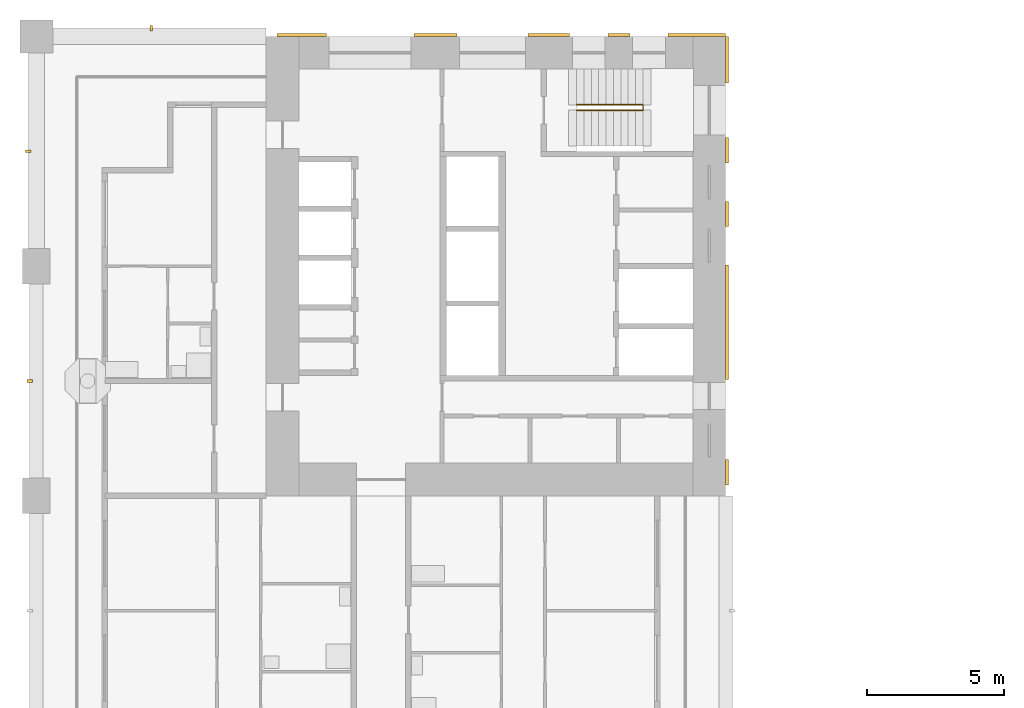
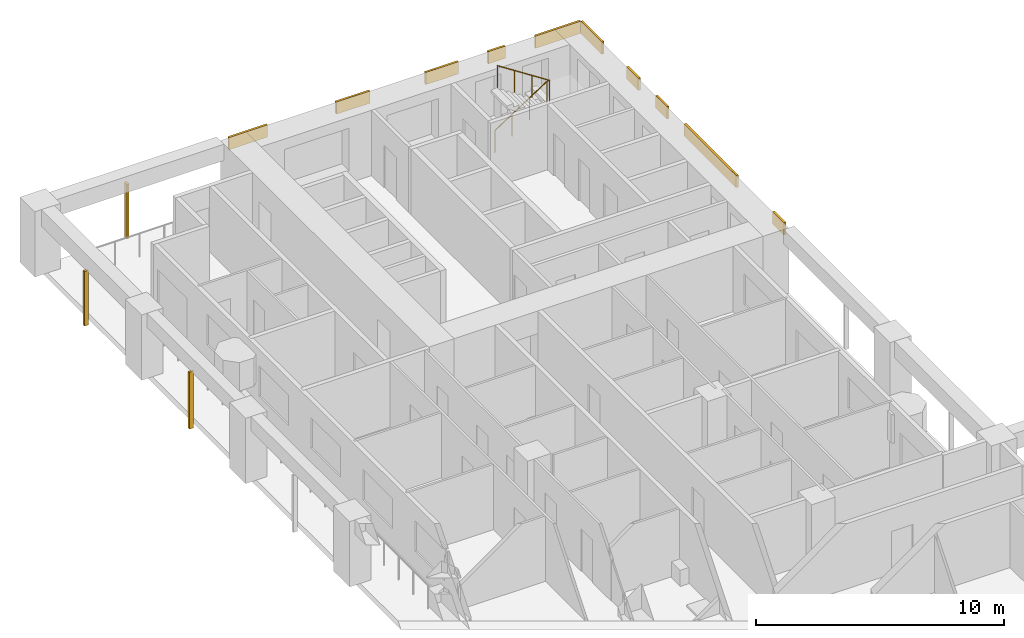
# One storey, part 15 of 19: 13 shading devices, 1 railing.
"""IFC4 building model written with IfcOpenShell, lengths in metres."""

from ifc_helpers import new_model, si_unit, direction, frame, origin, origin_2d, place, context, subcontext, project, spatial, rectangle, circle, extrude, material, layer, layer_set, material_profile, profile_set, type_object, element, save


model = new_model("IFC4")

# Units and contexts
model_context = context("Model", 3, precision=1e-05, world=origin(), true_north=direction((0.0, 1.0)))
body_context = subcontext(model_context, "Body", "Model", "MODEL_VIEW")
ifc_project = project(units=[si_unit("LENGTHUNIT", "METRE"), si_unit("AREAUNIT", "SQUARE_METRE"), si_unit("VOLUMEUNIT", "CUBIC_METRE"), si_unit("PLANEANGLEUNIT", "RADIAN"), si_unit("MASSUNIT", "GRAM", prefix="KILO")], contexts=[model_context])

# Site, building, storey
site_placement = place(None, origin())
site = spatial("IfcSite", under=ifc_project, at=site_placement, CompositionType="ELEMENT")
building_placement = place(site_placement, origin())
building = spatial("IfcBuilding", under=site, at=building_placement, Name="Vermilion Gate Residences", CompositionType="ELEMENT")
storey_placement = place(building_placement, frame((0.0, 0.0, 123.199951171875)))
storey = spatial("IfcBuildingStorey", under=building, at=storey_placement, Name="L31", CompositionType="ELEMENT", Elevation=123.199951171875)

# Railing
ifc_material_1 = material(Name="Steel S355", Category="steel")
railing_type = type_object("IfcRailingType", Name="STAIR GUARD 1100 STEEL", PredefinedType="GUARDRAIL", material=ifc_material_1)
railing_placement = place(storey_placement, frame((19.75, 56.300048828125, 0.175048828125)))
element("IfcRailing", 1, at=railing_placement, inside=storey, type_object=railing_type, Name="Stair well guard STB1-31", PredefinedType="GUARDRAIL", context=body_context, shape_type="SweptSolid", body=[
    extrude(circle(Radius=0.02392578125, at=origin_2d()), frame((0.0, 0.0, 1.076171875), z_axis=(0.839153699163, 0.0, 0.543894354798), x_axis=(0.0, 1.0, 0.0)), (0.0, 0.0, 1.0), 2.895751953125),
    extrude(circle(Radius=0.02392578125, at=origin_2d()), frame((2.429931640625, 0.0, 2.65087890625), z_axis=(0.0, -0.752405939678, 0.658699705433), x_axis=(1.0, 0.0, 0.0)), (0.0, 0.0, 1.0), 0.265869140625),
    extrude(circle(Radius=0.02392578125, at=origin_2d()), frame((2.429931640625, -0.199951171875, 2.826171875), z_axis=(-0.839153699163, 0.0, 0.543894354798), x_axis=(0.0, -1.0, 0.0)), (0.0, 0.0, 1.0), 2.895751953125),
    extrude(circle(Radius=0.02099609375, at=origin_2d()), origin(), (0.0, 0.0, 1.0), 1.052001953125),
    extrude(circle(Radius=0.02099609375, at=origin_2d()), frame((0.81005859375, 0.0, 0.52490234375)), (0.0, 0.0, 1.0), 1.052001953125),
    extrude(circle(Radius=0.02099609375, at=origin_2d()), frame((1.619873046875, 0.0, 1.050048828125)), (0.0, 0.0, 1.0), 1.052001953125),
    extrude(circle(Radius=0.02099609375, at=origin_2d()), frame((2.429931640625, 0.0, 1.574951171875)), (0.0, 0.0, 1.0), 1.052001953125),
    extrude(circle(Radius=0.02099609375, at=origin_2d()), frame((2.429931640625, -0.199951171875, 1.75)), (0.0, 0.0, 1.0), 1.052001953125),
    extrude(circle(Radius=0.02099609375, at=origin_2d()), frame((1.619873046875, -0.199951171875, 2.27490234375)), (0.0, 0.0, 1.0), 1.052001953125),
    extrude(circle(Radius=0.02099609375, at=origin_2d()), frame((0.81005859375, -0.199951171875, 2.800048828125)), (0.0, 0.0, 1.0), 1.052001953125),
    extrude(circle(Radius=0.02099609375, at=origin_2d()), frame((0.0, -0.199951171875, 3.324951171875)), (0.0, 0.0, 1.0), 1.052001953125),
])

# Shading devices
ifc_material_2 = material(Name="Extruded terracotta", Category="masonry")
ifc_material_profile = material_profile(ifc_material_2, rectangle(XDim=0.199951171875, YDim=0.10009765625, at=origin_2d()), Name="BAGUETTE 100 X 200")
ifc_profile_set = profile_set([ifc_material_profile], Name="Extruded terracotta")
shading_device_type_1 = type_object("IfcShadingDeviceType", Name="TERRACOTTA BAGUETTE 100 X 200", PredefinedType="JALOUSIE", material=ifc_profile_set)
shading_device_1_placement = place(storey_placement, frame((4.199951171875, 59.10009765625, -0.280029296875), z_axis=(0.0, 0.0, 1.0), x_axis=(0.0, -1.0, 0.0)))
element("IfcShadingDevice", 2, at=shading_device_1_placement, inside=storey, type_object=shading_device_type_1, Name="BAGUETTE", PredefinedType="JALOUSIE", context=body_context, shape_type="SweptSolid", body=[
    extrude(rectangle(XDim=0.199951171875, YDim=0.10009765625, at=origin_2d()), origin(), (0.0, 0.0, 1.0), 2.7001953125),
])
shading_device_2_placement = place(storey_placement, frame((-0.25, 46.199951171875, -0.280029296875), z_axis=(0.0, 0.0, 1.0), x_axis=(1.0, 0.0, 0.0)))
element("IfcShadingDevice", 3, at=shading_device_2_placement, inside=storey, type_object=shading_device_type_1, Name="BAGUETTE", PredefinedType="JALOUSIE", context=body_context, shape_type="SweptSolid", body=[
    extrude(rectangle(XDim=0.199951171875, YDim=0.10009765625, at=origin_2d()), origin(), (0.0, 0.0, 1.0), 2.800048828125),
])
shading_device_3_placement = place(storey_placement, frame((-0.300048828125, 54.60009765625, -0.280029296875), z_axis=(0.0, 0.0, 1.0), x_axis=(1.0, 0.0, 0.0)))
element("IfcShadingDevice", 4, at=shading_device_3_placement, inside=storey, type_object=shading_device_type_1, Name="BAGUETTE", PredefinedType="JALOUSIE", context=body_context, shape_type="SweptSolid", body=[
    extrude(rectangle(XDim=0.199951171875, YDim=0.10009765625, at=origin_2d()), origin(), (0.0, 0.0, 1.0), 2.7001953125),
])
ifc_material_3 = material(Name="Extruded terracotta", Category="masonry")
ifc_layer = layer(ifc_material_3, 0.10009765625)
ifc_layer_set = layer_set([ifc_layer], Name="TERRACOTTA SPANDREL BAND 600 X 100")
shading_device_type_2 = type_object("IfcShadingDeviceType", Name="TERRACOTTA SPANDREL BAND 600 X 100", PredefinedType="USERDEFINED", material=ifc_layer_set)
shading_device_4_placement = place(storey_placement, frame((9.702392578125, 58.85009765625, 2.6201171875), z_axis=(0.0, 0.0, 1.0), x_axis=(1.0, 0.0, 0.0)))
element("IfcShadingDevice", 5, at=shading_device_4_placement, inside=storey, type_object=shading_device_type_2, Name="SPANDREL BAND", ObjectType="BAND", PredefinedType="USERDEFINED", context=body_context, shape_type="SweptSolid", body=[
    extrude(rectangle(XDim=1.804931640625, YDim=0.10009765625, at=origin_2d()), origin(), (0.0, 0.0, 1.0), 0.60009765625),
])
shading_device_5_placement = place(storey_placement, frame((14.590087890625, 58.85009765625, 2.6201171875), z_axis=(0.0, 0.0, 1.0), x_axis=(1.0, 0.0, 0.0)))
element("IfcShadingDevice", 6, at=shading_device_5_placement, inside=storey, type_object=shading_device_type_2, Name="SPANDREL BAND", ObjectType="BAND", PredefinedType="USERDEFINED", context=body_context, shape_type="SweptSolid", body=[
    extrude(rectangle(XDim=1.570068359375, YDim=0.10009765625, at=origin_2d()), origin(), (0.0, 0.0, 1.0), 0.60009765625),
])
shading_device_6_placement = place(storey_placement, frame((18.734130859375, 58.85009765625, 2.6201171875), z_axis=(0.0, 0.0, 1.0), x_axis=(1.0, 0.0, 0.0)))
element("IfcShadingDevice", 7, at=shading_device_6_placement, inside=storey, type_object=shading_device_type_2, Name="SPANDREL BAND", ObjectType="BAND", PredefinedType="USERDEFINED", context=body_context, shape_type="SweptSolid", body=[
    extrude(rectangle(XDim=1.518310546875, YDim=0.10009765625, at=origin_2d()), origin(), (0.0, 0.0, 1.0), 0.60009765625),
])
shading_device_7_placement = place(storey_placement, frame((21.294921875, 58.85009765625, 2.6201171875), z_axis=(0.0, 0.0, 1.0), x_axis=(1.0, 0.0, 0.0)))
element("IfcShadingDevice", 8, at=shading_device_7_placement, inside=storey, type_object=shading_device_type_2, Name="SPANDREL BAND", ObjectType="BAND", PredefinedType="USERDEFINED", context=body_context, shape_type="SweptSolid", body=[
    extrude(rectangle(XDim=0.803466796875, YDim=0.10009765625, at=origin_2d()), origin(), (0.0, 0.0, 1.0), 0.60009765625),
])
shading_device_8_placement = place(storey_placement, frame((24.1484375, 58.85009765625, 2.6201171875), z_axis=(0.0, 0.0, 1.0), x_axis=(1.0, 0.0, 0.0)))
element("IfcShadingDevice", 9, at=shading_device_8_placement, inside=storey, type_object=shading_device_type_2, Name="SPANDREL BAND", ObjectType="BAND", PredefinedType="USERDEFINED", context=body_context, shape_type="SweptSolid", body=[
    extrude(rectangle(XDim=2.103271484375, YDim=0.10009765625, at=origin_2d()), origin(), (0.0, 0.0, 1.0), 0.60009765625),
])
shading_device_9_placement = place(storey_placement, frame((25.25, 42.862548828125, 2.6201171875), z_axis=(0.0, 0.0, 1.0), x_axis=(0.0, 1.0, 0.0)))
element("IfcShadingDevice", 10, at=shading_device_9_placement, inside=storey, type_object=shading_device_type_2, Name="SPANDREL BAND", ObjectType="BAND", PredefinedType="USERDEFINED", context=body_context, shape_type="SweptSolid", body=[
    extrude(rectangle(XDim=0.925048828125, YDim=0.10009765625, at=origin_2d()), origin(), (0.0, 0.0, 1.0), 0.60009765625),
])
shading_device_10_placement = place(storey_placement, frame((25.25, 48.35009765625, 2.6201171875), z_axis=(0.0, 0.0, 1.0), x_axis=(0.0, 1.0, 0.0)))
element("IfcShadingDevice", 11, at=shading_device_10_placement, inside=storey, type_object=shading_device_type_2, Name="SPANDREL BAND", ObjectType="BAND", PredefinedType="USERDEFINED", context=body_context, shape_type="SweptSolid", body=[
    extrude(rectangle(XDim=4.199951171875, YDim=0.10009765625, at=origin_2d()), origin(), (0.0, 0.0, 1.0), 0.60009765625),
])
shading_device_11_placement = place(storey_placement, frame((25.25, 52.30615234375, 2.6201171875), z_axis=(0.0, 0.0, 1.0), x_axis=(0.0, 1.0, 0.0)))
element("IfcShadingDevice", 12, at=shading_device_11_placement, inside=storey, type_object=shading_device_type_2, Name="SPANDREL BAND", ObjectType="BAND", PredefinedType="USERDEFINED", context=body_context, shape_type="SweptSolid", body=[
    extrude(rectangle(XDim=0.91259765625, YDim=0.10009765625, at=origin_2d()), origin(), (0.0, 0.0, 1.0), 0.60009765625),
])
shading_device_12_placement = place(storey_placement, frame((25.25, 54.631103515625, 2.6201171875), z_axis=(0.0, 0.0, 1.0), x_axis=(0.0, 1.0, 0.0)))
element("IfcShadingDevice", 13, at=shading_device_12_placement, inside=storey, type_object=shading_device_type_2, Name="SPANDREL BAND", ObjectType="BAND", PredefinedType="USERDEFINED", context=body_context, shape_type="SweptSolid", body=[
    extrude(rectangle(XDim=0.9375, YDim=0.10009765625, at=origin_2d()), origin(), (0.0, 0.0, 1.0), 0.60009765625),
])
shading_device_13_placement = place(storey_placement, frame((25.25, 57.949951171875, 2.6201171875), z_axis=(0.0, 0.0, 1.0), x_axis=(0.0, 1.0, 0.0)))
element("IfcShadingDevice", 14, at=shading_device_13_placement, inside=storey, type_object=shading_device_type_2, Name="SPANDREL BAND", ObjectType="BAND", PredefinedType="USERDEFINED", context=body_context, shape_type="SweptSolid", body=[
    extrude(rectangle(XDim=1.699951171875, YDim=0.10009765625, at=origin_2d()), origin(), (0.0, 0.0, 1.0), 0.60009765625),
])

save(model, "model.ifc")
